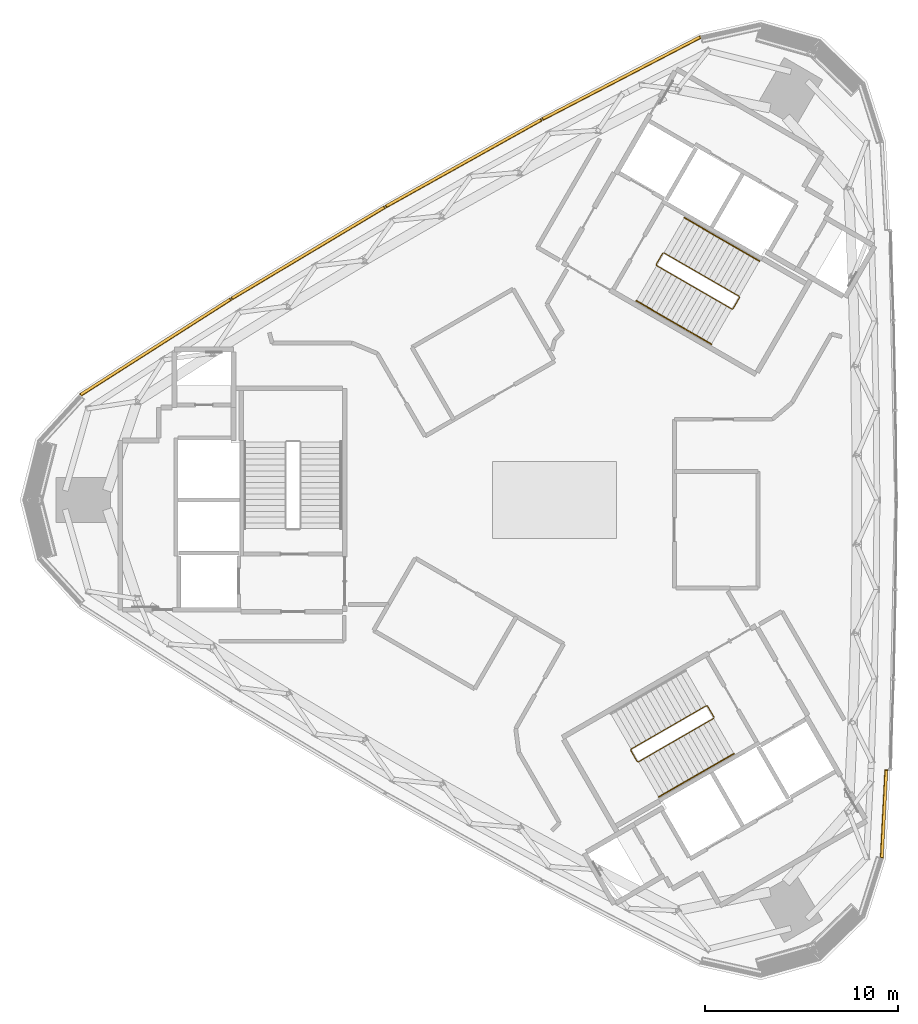
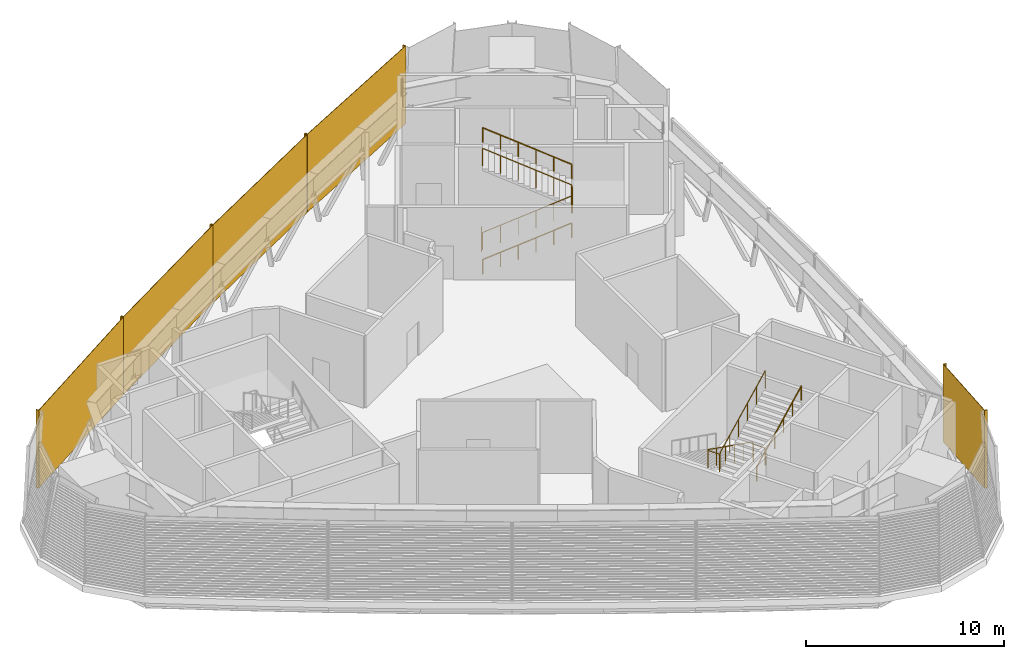
# One storey, part 17 of 18: 5 coverings, 5 railings.
"""IFC4 building model written with IfcOpenShell, lengths in metres."""

import ifcopenshell
import ifcopenshell.guid

model = None  # the IFC model being written
_history = None  # IfcOwnerHistory: only IFC2X3 demands one
_inside = {}  # id of a spatial element -> (the spatial element, [elements in it])
_under = {}  # id of a project, library or spatial element -> (it, [spatial elements below it])
_declared = {}  # id of a project -> (the project, [libraries it declares])
_typed = {}  # id of a type object -> (the type object, [elements of that type])
_made_of = {}  # id of a material, layer set ... -> (it, [elements and type objects made of it])


def new_model(schema):
    """Start an empty IFC model of exactly this schema.

    Asked for "IFC4X3", IfcOpenShell would pick the latest addendum, in which some entities
    have other attributes; the version numbers below select the first issue.
    IFC2X3 requires an IfcOwnerHistory on every rooted entity: one is made here for all.
    """
    global model, _history
    if schema == "IFC4X3":
        model = ifcopenshell.file(schema_version=(4, 3, 0, 0))
    else:
        model = ifcopenshell.file(schema=schema)
    _inside.clear()
    _under.clear()
    _declared.clear()
    _typed.clear()
    _made_of.clear()
    _history = None
    if model.schema == "IFC2X3":
        org = make("IfcOrganization", Name="unknown")
        user = make(
            "IfcPersonAndOrganization",
            ThePerson=make("IfcPerson", FamilyName="unknown"),
            TheOrganization=org,
        )
        app = make(
            "IfcApplication",
            ApplicationDeveloper=org,
            Version="unknown",
            ApplicationFullName="unknown",
            ApplicationIdentifier="unknown",
        )
        _history = make(
            "IfcOwnerHistory",
            OwningUser=user,
            OwningApplication=app,
            ChangeAction="ADDED",
            CreationDate=0,
        )
    return model


def make(cls, **values):
    """One entity of the class cls with the attributes given. An attribute that is None is left unset."""
    return model.create_entity(
        cls, **{name: value for name, value in values.items() if value is not None}
    )


def rooted(cls, **values):
    """An entity with a GlobalId (a new one), such as an element, a storey or a relation."""
    return make(cls, GlobalId=ifcopenshell.guid.new(), OwnerHistory=_history, **values)


def si_unit(unit_type, name, prefix=None):
    """IfcSIUnit, for example si_unit("LENGTHUNIT", "METRE", prefix="MILLI")."""
    return make("IfcSIUnit", UnitType=unit_type, Prefix=prefix, Name=name)


def assignment(units):
    """IfcUnitAssignment: the units of a project."""
    return None if units is None else make("IfcUnitAssignment", Units=units)


def point(xyz):
    """IfcCartesianPoint."""
    return None if xyz is None else make("IfcCartesianPoint", Coordinates=xyz)


def direction(xyz):
    """IfcDirection."""
    return None if xyz is None else make("IfcDirection", DirectionRatios=xyz)


def frame(location, z_axis=None, x_axis=None):
    """IfcAxis2Placement3D, a coordinate frame: its origin and axes. An axis left out is left unset."""
    return make(
        "IfcAxis2Placement3D",
        Location=point(location),
        Axis=direction(z_axis),
        RefDirection=direction(x_axis),
    )


def frame_2d(location, x_axis=None):
    """IfcAxis2Placement2D, a coordinate frame in the plane: its origin and x axis."""
    return make(
        "IfcAxis2Placement2D", Location=point(location), RefDirection=direction(x_axis)
    )


def origin():
    """The frame at (0, 0, 0) with its axes left unset."""
    return frame((0.0, 0.0, 0.0))


def origin_2d():
    """The frame at (0, 0) in the plane with its x axis left unset."""
    return frame_2d((0.0, 0.0))


def place(relative_to, where):
    """IfcLocalPlacement: puts the frame where relative to a parent placement (None: the world)."""
    return make(
        "IfcLocalPlacement", PlacementRelTo=relative_to, RelativePlacement=where
    )


def context(
    kind, dimensions, precision=None, world=None, true_north=None, identifier=None
):
    """IfcGeometricRepresentationContext, for example the 3D "Model" context."""
    return make(
        "IfcGeometricRepresentationContext",
        ContextIdentifier=identifier,
        ContextType=kind,
        CoordinateSpaceDimension=dimensions,
        Precision=precision,
        WorldCoordinateSystem=world,
        TrueNorth=true_north,
    )


def subcontext(parent, identifier, kind, view, scale=None):
    """IfcGeometricRepresentationSubContext, for example "Body" below "Model"."""
    return make(
        "IfcGeometricRepresentationSubContext",
        ContextIdentifier=identifier,
        ContextType=kind,
        ParentContext=parent,
        TargetScale=scale,
        TargetView=view,
    )


def project(units=None, contexts=None):
    """IfcProject with its units and contexts."""
    return rooted(
        "IfcProject",
        Name="project",
        RepresentationContexts=contexts,
        UnitsInContext=assignment(units),
    )


def spatial(cls, under=None, at=None, **own):
    """A site, building, storey or space (cls), placed at a placement, below another one or the project."""
    s = rooted(cls, ObjectPlacement=at, **own)
    if under is not None:
        _under.setdefault(under.id(), (under, []))[1].append(s)
    return s


def profile(cls, at=None, kind="AREA", **sizes):
    """A parametric profile (cls). Its sizes go by their IFC names, for example OverallWidth=200.0."""
    return make(cls, ProfileType=kind, Position=at, **sizes)


def rectangle(**sizes):
    """IfcRectangleProfileDef."""
    return profile("IfcRectangleProfileDef", **sizes)


def circle(**sizes):
    """IfcCircleProfileDef."""
    return profile("IfcCircleProfileDef", **sizes)


def extrude(swept, where, along, depth):
    """IfcExtrudedAreaSolid: the profile swept, set in the frame where, extruded along a direction by depth."""
    return make(
        "IfcExtrudedAreaSolid",
        SweptArea=swept,
        Position=where,
        ExtrudedDirection=direction(along),
        Depth=depth,
    )


def shape(context_of_items, identifier, shape_type, items):
    """IfcShapeRepresentation: the items that make up one representation, for example the "Body"."""
    return make(
        "IfcShapeRepresentation",
        ContextOfItems=context_of_items,
        RepresentationIdentifier=identifier,
        RepresentationType=shape_type,
        Items=items,
    )


def source(mapping_origin, context_of_items, identifier, shape_type, items):
    """IfcRepresentationMap: a shape defined once, which mapped items show again and again."""
    return make(
        "IfcRepresentationMap",
        MappingOrigin=mapping_origin,
        MappedRepresentation=shape(context_of_items, identifier, shape_type, items),
    )


def transform(
    local_origin,
    x_axis=None,
    y_axis=None,
    z_axis=None,
    scale=None,
    scale2=None,
    scale3=None,
    uniform=True,
):
    """IfcCartesianTransformationOperator3D, or its non-uniform kind. x_axis, y_axis, z_axis: its Axis1, 2, 3."""
    if uniform:
        return make(
            "IfcCartesianTransformationOperator3D",
            Axis1=direction(x_axis),
            Axis2=direction(y_axis),
            LocalOrigin=point(local_origin),
            Scale=scale,
            Axis3=direction(z_axis),
        )
    return make(
        "IfcCartesianTransformationOperator3DnonUniform",
        Axis1=direction(x_axis),
        Axis2=direction(y_axis),
        LocalOrigin=point(local_origin),
        Scale=scale,
        Axis3=direction(z_axis),
        Scale2=scale2,
        Scale3=scale3,
    )


def mapped(mapping_source, mapping_target):
    """IfcMappedItem: shows the shape of a source again, moved by a transform."""
    return make(
        "IfcMappedItem", MappingSource=mapping_source, MappingTarget=mapping_target
    )


def material(Name=None, Category=None):
    """IfcMaterial."""
    return make("IfcMaterial", Name=Name, Category=Category)


def made_of(thing, what):
    """Note that an element or type object is made of a material, layer set ...; save() writes the relation."""
    if what is not None:
        _made_of.setdefault(what.id(), (what, []))[1].append(thing)
    return thing


def type_object(cls, material=None, **own):
    """A type object (cls), such as IfcWallType, which elements share."""
    return made_of(rooted(cls, **own), material)


def element(
    cls,
    number,
    at=None,
    inside=None,
    cuts=None,
    type_object=None,
    material=None,
    context=None,
    identifier="Body",
    shape_type=None,
    held_by="IfcProductDefinitionShape",
    body=None,
    shapes=None,
    **own,
):
    """One element of the class cls, such as IfcWall. Its Tag is "e" and its number.

    at: its placement. inside: the storey or other place that contains it. cuts: it is an
    opening in that element (IfcRelVoidsElement). A single representation is given by context,
    identifier, shape_type and body (its items); several are given by shapes. held_by: the class
    of the entity that holds the representations. save() writes the other relations.
    """
    e = rooted(cls, Tag="e%d" % number, ObjectPlacement=at, **own)
    if body is not None:
        shapes = [shape(context, identifier, shape_type, body)]
    if shapes is not None:
        e.Representation = make(held_by, Representations=shapes)
    if inside is not None:
        _inside.setdefault(inside.id(), (inside, []))[1].append(e)
    if cuts is not None:
        rooted(
            "IfcRelVoidsElement", RelatingBuildingElement=cuts, RelatedOpeningElement=e
        )
    if type_object is not None:
        _typed.setdefault(type_object.id(), (type_object, []))[1].append(e)
    return made_of(e, material)


def aggregate(whole, parts):
    """IfcRelAggregates: a whole, such as a stair, and the parts it consists of."""
    return rooted("IfcRelAggregates", RelatingObject=whole, RelatedObjects=parts)


def save(model, path):
    """Write the relations noted so far, then the file.

    IfcRelAggregates (storeys below a building ...), IfcRelContainedInSpatialStructure (elements
    in a storey), IfcRelDefinesByType, IfcRelAssociatesMaterial and IfcRelDeclares: one each for
    every whole, place, type object, material and project.
    """
    for whole, parts in _under.values():
        aggregate(whole, parts)
    for where, things in _inside.values():
        rooted(
            "IfcRelContainedInSpatialStructure",
            RelatedElements=things,
            RelatingStructure=where,
        )
    for kind, things in _typed.values():
        rooted("IfcRelDefinesByType", RelatedObjects=things, RelatingType=kind)
    for what, things in _made_of.values():
        rooted("IfcRelAssociatesMaterial", RelatedObjects=things, RelatingMaterial=what)
    for by, libraries in _declared.values():
        rooted("IfcRelDeclares", RelatingContext=by, RelatedDefinitions=libraries)
    model.write(path)


model = new_model("IFC4")

# Units and contexts
model_context = context("Model", 3, precision=1e-05, world=origin(), true_north=direction((0.0, 1.0)))
body_context = subcontext(model_context, "Body", "Model", "MODEL_VIEW")
ifc_project = project(units=[si_unit("LENGTHUNIT", "METRE"), si_unit("AREAUNIT", "SQUARE_METRE"), si_unit("VOLUMEUNIT", "CUBIC_METRE"), si_unit("PLANEANGLEUNIT", "RADIAN"), si_unit("MASSUNIT", "GRAM", prefix="KILO")], contexts=[model_context])

# Site, building, storey
site_placement = place(None, origin())
site = spatial("IfcSite", under=ifc_project, at=site_placement, CompositionType="ELEMENT")
building_placement = place(site_placement, origin())
building = spatial("IfcBuilding", under=site, at=building_placement, Name="Tamra Quay Hotel Tower", CompositionType="ELEMENT")
storey_placement = place(building_placement, frame((0.0, 0.0, 257.39990234375)))
storey = spatial("IfcBuildingStorey", under=building, at=storey_placement, Name="L65", CompositionType="ELEMENT", Elevation=257.39990234375)

# Railings
ifc_material_1 = material(Name="Stair guard 1100")
railing_type_1 = type_object("IfcRailingType", Name="Stair guard 1100", PredefinedType="GUARDRAIL", material=ifc_material_1)
railing_1_placement = place(storey_placement, frame((5.595458984375, 12.751953125, 0.0)))
element("IfcRailing", 1, at=railing_1_placement, inside=storey, type_object=railing_type_1, Name="GR", PredefinedType="GUARDRAIL", context=body_context, shape_type="SweptSolid", body=[
    extrude(circle(Radius=0.02392578125, at=origin_2d()), frame((0.0, 0.0, 1.076171875), z_axis=(-0.499765215335, -0.866160914346, 0.0), x_axis=(0.866160914346, -0.499765215335, 0.0)), (0.0, 0.0, 1.0), 0.658935546875),
    extrude(circle(Radius=0.02392578125, at=origin_2d()), frame((-0.329345703125, -0.57080078125, 1.076171875), z_axis=(0.110378772244, -0.410609032747, 0.905105932399), x_axis=(0.965715946433, 0.259601060869, 0.0)), (0.0, 0.0, 1.0), 0.165771484375),
    extrude(circle(Radius=0.02392578125, at=origin_2d()), frame((-0.31103515625, -0.638916015625, 1.22607421875), z_axis=(0.774058831731, -0.446948546627, 0.448408208764), x_axis=(0.500038154266, 0.866003374288, 0.0)), (0.0, 0.0, 1.0), 5.017822265625),
    extrude(circle(Radius=0.02392578125, at=origin_2d()), frame((3.572998046875, -2.881591796875, 3.47607421875), z_axis=(0.965948051503, 0.258736085224, 0.0), x_axis=(-0.258736085224, 0.965948051503, 0.0)), (0.0, 0.0, 1.0), 0.07080078125),
    extrude(circle(Radius=0.02392578125, at=origin_2d()), frame((3.641357421875, -2.86328125, 3.47607421875), z_axis=(0.499765215335, 0.866160914346, 0.0), x_axis=(-0.866160914346, 0.499765215335, 0.0)), (0.0, 0.0, 1.0), 0.658935546875),
    extrude(circle(Radius=0.02392578125, at=origin_2d()), frame((3.970703125, -2.29248046875, 3.47607421875), z_axis=(-0.110458949641, 0.41238007866, 0.904290601062), x_axis=(-0.965948051503, -0.258736085224, 0.0)), (0.0, 0.0, 1.0), 0.165771484375),
    extrude(circle(Radius=0.02392578125, at=origin_2d()), frame((3.952392578125, -2.22412109375, 3.6259765625), z_axis=(-0.774075664405, 0.446909609502, 0.448417959844), x_axis=(-0.499997328569, -0.86602694613, 0.0)), (0.0, 0.0, 1.0), 5.017578125),
    extrude(circle(Radius=0.02099609375, at=origin_2d()), origin(), (0.0, 0.0, 1.0), 1.052001953125),
    extrude(circle(Radius=0.02099609375, at=origin_2d()), frame((-0.329345703125, -0.57080078125, 0.0)), (0.0, 0.0, 1.0), 1.052001953125),
    extrude(circle(Radius=0.02099609375, at=origin_2d()), frame((-0.31103515625, -0.638916015625, 0.150146484375)), (0.0, 0.0, 1.0), 1.052001953125),
    extrude(circle(Radius=0.02099609375, at=origin_2d()), frame((0.4658203125, -1.08740234375, 0.60009765625)), (0.0, 0.0, 1.0), 1.052001953125),
    extrude(circle(Radius=0.02099609375, at=origin_2d()), frame((1.24267578125, -1.535888671875, 1.050048828125)), (0.0, 0.0, 1.0), 1.052001953125),
    extrude(circle(Radius=0.02099609375, at=origin_2d()), frame((2.019287109375, -1.984619140625, 1.500244140625)), (0.0, 0.0, 1.0), 1.052001953125),
    extrude(circle(Radius=0.02099609375, at=origin_2d()), frame((2.796142578125, -2.43310546875, 1.9501953125)), (0.0, 0.0, 1.0), 1.052001953125),
    extrude(circle(Radius=0.02099609375, at=origin_2d()), frame((3.572998046875, -2.881591796875, 2.400146484375)), (0.0, 0.0, 1.0), 1.052001953125),
    extrude(circle(Radius=0.02099609375, at=origin_2d()), frame((3.641357421875, -2.86328125, 2.400146484375)), (0.0, 0.0, 1.0), 1.052001953125),
    extrude(circle(Radius=0.02099609375, at=origin_2d()), frame((3.970703125, -2.29248046875, 2.400146484375)), (0.0, 0.0, 1.0), 1.052001953125),
    extrude(circle(Radius=0.02099609375, at=origin_2d()), frame((3.952392578125, -2.22412109375, 2.550048828125)), (0.0, 0.0, 1.0), 1.052001953125),
    extrude(circle(Radius=0.02099609375, at=origin_2d()), frame((3.175537109375, -1.775634765625, 3.0)), (0.0, 0.0, 1.0), 1.052001953125),
    extrude(circle(Radius=0.02099609375, at=origin_2d()), frame((2.398681640625, -1.3271484375, 3.449951171875)), (0.0, 0.0, 1.0), 1.052001953125),
    extrude(circle(Radius=0.02099609375, at=origin_2d()), frame((1.6220703125, -0.878662109375, 3.900146484375)), (0.0, 0.0, 1.0), 1.052001953125),
    extrude(circle(Radius=0.02099609375, at=origin_2d()), frame((0.84521484375, -0.43017578125, 4.35009765625)), (0.0, 0.0, 1.0), 1.052001953125),
    extrude(circle(Radius=0.02099609375, at=origin_2d()), frame((0.068359375, 0.018310546875, 4.800048828125)), (0.0, 0.0, 1.0), 1.052001953125),
])
railing_2_placement = place(storey_placement, frame((8.245849609375, -11.221923828125, 0.0)))
element("IfcRailing", 2, at=railing_2_placement, inside=storey, type_object=railing_type_1, Name="GR", PredefinedType="GUARDRAIL", context=body_context, shape_type="SweptSolid", body=[
    extrude(circle(Radius=0.02392578125, at=origin_2d()), frame((0.0, 0.0, 1.076171875), z_axis=(-0.500043078269, 0.866000531106, 0.0), x_axis=(-0.866000531106, -0.500043078269, 0.0)), (0.0, 0.0, 1.0), 0.6591796875),
    extrude(circle(Radius=0.02392578125, at=origin_2d()), frame((-0.32958984375, 0.57080078125, 1.076171875), z_axis=(-0.411831509231, 0.110312011401, 0.90455849349), x_axis=(-0.258736085224, -0.965948051503, 0.0)), (0.0, 0.0, 1.0), 0.166015625),
    extrude(circle(Radius=0.02392578125, at=origin_2d()), frame((-0.39794921875, 0.589111328125, 1.22607421875), z_axis=(-0.774075664405, -0.446909609502, 0.448417959844), x_axis=(0.499997328569, -0.86602694613, 0.0)), (0.0, 0.0, 1.0), 5.017578125),
    extrude(circle(Radius=0.02392578125, at=origin_2d()), frame((-4.281982421875, -1.6533203125, 3.47607421875), z_axis=(-0.258736085224, -0.965948051503, 0.0), x_axis=(0.965948051503, -0.258736085224, 0.0)), (0.0, 0.0, 1.0), 0.07080078125),
    extrude(circle(Radius=0.02392578125, at=origin_2d()), frame((-4.30029296875, -1.7216796875, 3.47607421875), z_axis=(0.499765215335, -0.866160914346, 0.0), x_axis=(0.866160914346, 0.499765215335, 0.0)), (0.0, 0.0, 1.0), 0.658935546875),
    extrude(circle(Radius=0.02392578125, at=origin_2d()), frame((-3.970947265625, -2.29248046875, 3.47607421875), z_axis=(0.41238007866, -0.110458949641, 0.904290601062), x_axis=(0.258736085224, 0.965948051503, 0.0)), (0.0, 0.0, 1.0), 0.165771484375),
    extrude(circle(Radius=0.02392578125, at=origin_2d()), frame((-3.902587890625, -2.310791015625, 3.6259765625), z_axis=(0.774078333318, 0.446931714007, 0.448391321173), x_axis=(-0.500014583029, 0.866016984105, 0.0)), (0.0, 0.0, 1.0), 5.017822265625),
    extrude(circle(Radius=0.02099609375, at=origin_2d()), origin(), (0.0, 0.0, 1.0), 1.052001953125),
    extrude(circle(Radius=0.02099609375, at=origin_2d()), frame((-0.32958984375, 0.57080078125, 0.0)), (0.0, 0.0, 1.0), 1.052001953125),
    extrude(circle(Radius=0.02099609375, at=origin_2d()), frame((-0.39794921875, 0.589111328125, 0.150146484375)), (0.0, 0.0, 1.0), 1.052001953125),
    extrude(circle(Radius=0.02099609375, at=origin_2d()), frame((-1.1748046875, 0.140625, 0.60009765625)), (0.0, 0.0, 1.0), 1.052001953125),
    extrude(circle(Radius=0.02099609375, at=origin_2d()), frame((-1.95166015625, -0.307861328125, 1.050048828125)), (0.0, 0.0, 1.0), 1.052001953125),
    extrude(circle(Radius=0.02099609375, at=origin_2d()), frame((-2.728271484375, -0.75634765625, 1.500244140625)), (0.0, 0.0, 1.0), 1.052001953125),
    extrude(circle(Radius=0.02099609375, at=origin_2d()), frame((-3.505126953125, -1.204833984375, 1.9501953125)), (0.0, 0.0, 1.0), 1.052001953125),
    extrude(circle(Radius=0.02099609375, at=origin_2d()), frame((-4.281982421875, -1.6533203125, 2.400146484375)), (0.0, 0.0, 1.0), 1.052001953125),
    extrude(circle(Radius=0.02099609375, at=origin_2d()), frame((-4.30029296875, -1.7216796875, 2.400146484375)), (0.0, 0.0, 1.0), 1.052001953125),
    extrude(circle(Radius=0.02099609375, at=origin_2d()), frame((-3.970947265625, -2.29248046875, 2.400146484375)), (0.0, 0.0, 1.0), 1.052001953125),
    extrude(circle(Radius=0.02099609375, at=origin_2d()), frame((-3.902587890625, -2.310791015625, 2.550048828125)), (0.0, 0.0, 1.0), 1.052001953125),
    extrude(circle(Radius=0.02099609375, at=origin_2d()), frame((-3.125732421875, -1.8623046875, 3.0)), (0.0, 0.0, 1.0), 1.052001953125),
    extrude(circle(Radius=0.02099609375, at=origin_2d()), frame((-2.348876953125, -1.413818359375, 3.449951171875)), (0.0, 0.0, 1.0), 1.052001953125),
    extrude(circle(Radius=0.02099609375, at=origin_2d()), frame((-1.572021484375, -0.965087890625, 3.900146484375)), (0.0, 0.0, 1.0), 1.052001953125),
    extrude(circle(Radius=0.02099609375, at=origin_2d()), frame((-0.795166015625, -0.5166015625, 4.35009765625)), (0.0, 0.0, 1.0), 1.052001953125),
    extrude(circle(Radius=0.02099609375, at=origin_2d()), frame((-0.018310546875, -0.068115234375, 4.800048828125)), (0.0, 0.0, 1.0), 1.052001953125),
])
ifc_material_2 = material(Name="Stair handrail 900")
railing_type_2 = type_object("IfcRailingType", Name="Stair handrail 900", PredefinedType="HANDRAIL", material=ifc_material_2)
railing_3_placement = place(storey_placement, frame((4.234375, 10.294189453125, 0.150146484375)))
element("IfcRailing", 3, at=railing_3_placement, inside=storey, type_object=railing_type_2, Name="HR", PredefinedType="HANDRAIL", context=body_context, shape_type="SweptSolid", body=[
    extrude(circle(Radius=0.02392578125, at=origin_2d()), frame((0.0, 0.0, 0.8759765625), z_axis=(0.774075664405, -0.446909609502, 0.448417959844), x_axis=(0.499997328569, 0.86602694613, 0.0)), (0.0, 0.0, 1.0), 5.017578125),
    extrude(circle(Radius=0.02099609375, at=origin_2d()), origin(), (0.0, 0.0, 1.0), 0.851806640625),
    extrude(circle(Radius=0.02099609375, at=origin_2d()), frame((0.77685546875, -0.448486328125, 0.449951171875)), (0.0, 0.0, 1.0), 0.851806640625),
    extrude(circle(Radius=0.02099609375, at=origin_2d()), frame((1.5537109375, -0.89697265625, 0.89990234375)), (0.0, 0.0, 1.0), 0.851806640625),
    extrude(circle(Radius=0.02099609375, at=origin_2d()), frame((2.330322265625, -1.345458984375, 1.35009765625)), (0.0, 0.0, 1.0), 0.851806640625),
    extrude(circle(Radius=0.02099609375, at=origin_2d()), frame((3.107177734375, -1.7939453125, 1.800048828125)), (0.0, 0.0, 1.0), 0.851806640625),
    extrude(circle(Radius=0.02099609375, at=origin_2d()), frame((3.884033203125, -2.242431640625, 2.25)), (0.0, 0.0, 1.0), 0.851806640625),
])
railing_4_placement = place(storey_placement, frame((10.597900390625, 12.346435546875, 2.550048828125)))
element("IfcRailing", 4, at=railing_4_placement, inside=storey, type_object=railing_type_2, Name="HR", PredefinedType="HANDRAIL", context=body_context, shape_type="SweptSolid", body=[
    extrude(circle(Radius=0.02392578125, at=origin_2d()), frame((0.0, 0.0, 0.8759765625), z_axis=(-0.774075664405, 0.446909609502, 0.448417959844), x_axis=(-0.499997328569, -0.86602694613, 0.0)), (0.0, 0.0, 1.0), 5.017578125),
    extrude(circle(Radius=0.02099609375, at=origin_2d()), origin(), (0.0, 0.0, 1.0), 0.851806640625),
    extrude(circle(Radius=0.02099609375, at=origin_2d()), frame((-0.77685546875, 0.448486328125, 0.449951171875)), (0.0, 0.0, 1.0), 0.851806640625),
    extrude(circle(Radius=0.02099609375, at=origin_2d()), frame((-1.5537109375, 0.89697265625, 0.89990234375)), (0.0, 0.0, 1.0), 0.851806640625),
    extrude(circle(Radius=0.02099609375, at=origin_2d()), frame((-2.330322265625, 1.345458984375, 1.35009765625)), (0.0, 0.0, 1.0), 0.851806640625),
    extrude(circle(Radius=0.02099609375, at=origin_2d()), frame((-3.107177734375, 1.7939453125, 1.800048828125)), (0.0, 0.0, 1.0), 0.851806640625),
    extrude(circle(Radius=0.02099609375, at=origin_2d()), frame((-3.884033203125, 2.242431640625, 2.25)), (0.0, 0.0, 1.0), 0.851806640625),
])
railing_5_placement = place(storey_placement, frame((5.393310546875, -15.351318359375, 2.550048828125)))
element("IfcRailing", 5, at=railing_5_placement, inside=storey, type_object=railing_type_2, Name="HR", PredefinedType="HANDRAIL", context=body_context, shape_type="SweptSolid", body=[
    extrude(circle(Radius=0.02392578125, at=origin_2d()), frame((0.0, 0.0, 0.8759765625), z_axis=(0.774075664405, 0.446909609502, 0.448417959844), x_axis=(-0.499997328569, 0.86602694613, 0.0)), (0.0, 0.0, 1.0), 5.017578125),
    extrude(circle(Radius=0.02099609375, at=origin_2d()), origin(), (0.0, 0.0, 1.0), 0.851806640625),
    extrude(circle(Radius=0.02099609375, at=origin_2d()), frame((0.77685546875, 0.448486328125, 0.449951171875)), (0.0, 0.0, 1.0), 0.851806640625),
    extrude(circle(Radius=0.02099609375, at=origin_2d()), frame((1.5537109375, 0.89697265625, 0.89990234375)), (0.0, 0.0, 1.0), 0.851806640625),
    extrude(circle(Radius=0.02099609375, at=origin_2d()), frame((2.330322265625, 1.345458984375, 1.35009765625)), (0.0, 0.0, 1.0), 0.851806640625),
    extrude(circle(Radius=0.02099609375, at=origin_2d()), frame((3.107177734375, 1.7939453125, 1.800048828125)), (0.0, 0.0, 1.0), 0.851806640625),
    extrude(circle(Radius=0.02099609375, at=origin_2d()), frame((3.884033203125, 2.242431640625, 2.25)), (0.0, 0.0, 1.0), 0.851806640625),
])

# Coverings
ifc_material_3 = material(Name="Terracotta louvre panel", Category="masonry")
covering_type = type_object("IfcCoveringType", Name="PLANT LOUVRE H4800", PredefinedType="USERDEFINED", material=ifc_material_3)
shared_shape_1 = source(origin(), body_context, "Body", "SweptSolid", [
    extrude(rectangle(XDim=4.60009765625, YDim=0.030029296875, at=frame_2d((2.300048828125, 0.01513671875))), frame((-2.300048828125, -0.030029296875, 0.0)), (0.0, 0.0, 1.0), 4.800048828125),
    extrude(rectangle(XDim=0.050048828125, YDim=0.139892578125, at=frame_2d((0.02490234375, 0.06982421875))), frame((-2.300048828125, -0.169921875, 0.0)), (0.0, 0.0, 1.0), 4.800048828125),
    extrude(rectangle(XDim=0.050048828125, YDim=0.139892578125, at=frame_2d((0.02490234375, 0.06982421875))), frame((2.25, -0.169921875, 0.0)), (0.0, 0.0, 1.0), 4.800048828125),
    extrude(rectangle(XDim=4.5, YDim=0.139892578125, at=frame_2d((2.25, 0.06982421875))), frame((-2.25, -0.169921875, 0.050048828125)), (0.0, 0.0, 1.0), 0.034912109375),
    extrude(rectangle(XDim=4.5, YDim=0.139892578125, at=frame_2d((2.25, 0.06982421875))), frame((-2.25, -0.169921875, 0.2099609375)), (0.0, 0.0, 1.0), 0.034912109375),
    extrude(rectangle(XDim=4.5, YDim=0.139892578125, at=frame_2d((2.25, 0.06982421875))), frame((-2.25, -0.169921875, 0.3701171875)), (0.0, 0.0, 1.0), 0.034912109375),
    extrude(rectangle(XDim=4.5, YDim=0.139892578125, at=frame_2d((2.25, 0.06982421875))), frame((-2.25, -0.169921875, 0.530029296875)), (0.0, 0.0, 1.0), 0.034912109375),
    extrude(rectangle(XDim=4.5, YDim=0.139892578125, at=frame_2d((2.25, 0.06982421875))), frame((-2.25, -0.169921875, 0.68994140625)), (0.0, 0.0, 1.0), 0.034912109375),
    extrude(rectangle(XDim=4.5, YDim=0.139892578125, at=frame_2d((2.25, 0.06982421875))), frame((-2.25, -0.169921875, 0.85009765625)), (0.0, 0.0, 1.0), 0.034912109375),
    extrude(rectangle(XDim=4.5, YDim=0.139892578125, at=frame_2d((2.25, 0.06982421875))), frame((-2.25, -0.169921875, 1.010009765625)), (0.0, 0.0, 1.0), 0.034912109375),
    extrude(rectangle(XDim=4.5, YDim=0.139892578125, at=frame_2d((2.25, 0.06982421875))), frame((-2.25, -0.169921875, 1.169921875)), (0.0, 0.0, 1.0), 0.034912109375),
    extrude(rectangle(XDim=4.5, YDim=0.139892578125, at=frame_2d((2.25, 0.06982421875))), frame((-2.25, -0.169921875, 1.330078125)), (0.0, 0.0, 1.0), 0.034912109375),
    extrude(rectangle(XDim=4.5, YDim=0.139892578125, at=frame_2d((2.25, 0.06982421875))), frame((-2.25, -0.169921875, 1.489990234375)), (0.0, 0.0, 1.0), 0.034912109375),
    extrude(rectangle(XDim=4.5, YDim=0.139892578125, at=frame_2d((2.25, 0.06982421875))), frame((-2.25, -0.169921875, 1.64990234375)), (0.0, 0.0, 1.0), 0.034912109375),
    extrude(rectangle(XDim=4.5, YDim=0.139892578125, at=frame_2d((2.25, 0.06982421875))), frame((-2.25, -0.169921875, 1.81005859375)), (0.0, 0.0, 1.0), 0.034912109375),
    extrude(rectangle(XDim=4.5, YDim=0.139892578125, at=frame_2d((2.25, 0.06982421875))), frame((-2.25, -0.169921875, 1.969970703125)), (0.0, 0.0, 1.0), 0.034912109375),
    extrude(rectangle(XDim=4.5, YDim=0.139892578125, at=frame_2d((2.25, 0.06982421875))), frame((-2.25, -0.169921875, 2.1298828125)), (0.0, 0.0, 1.0), 0.034912109375),
    extrude(rectangle(XDim=4.5, YDim=0.139892578125, at=frame_2d((2.25, 0.06982421875))), frame((-2.25, -0.169921875, 2.2900390625)), (0.0, 0.0, 1.0), 0.034912109375),
    extrude(rectangle(XDim=4.5, YDim=0.139892578125, at=frame_2d((2.25, 0.06982421875))), frame((-2.25, -0.169921875, 2.449951171875)), (0.0, 0.0, 1.0), 0.034912109375),
    extrude(rectangle(XDim=4.5, YDim=0.139892578125, at=frame_2d((2.25, 0.06982421875))), frame((-2.25, -0.169921875, 2.610107421875)), (0.0, 0.0, 1.0), 0.034912109375),
    extrude(rectangle(XDim=4.5, YDim=0.139892578125, at=frame_2d((2.25, 0.06982421875))), frame((-2.25, -0.169921875, 2.77001953125)), (0.0, 0.0, 1.0), 0.034912109375),
    extrude(rectangle(XDim=4.5, YDim=0.139892578125, at=frame_2d((2.25, 0.06982421875))), frame((-2.25, -0.169921875, 2.929931640625)), (0.0, 0.0, 1.0), 0.034912109375),
    extrude(rectangle(XDim=4.5, YDim=0.139892578125, at=frame_2d((2.25, 0.06982421875))), frame((-2.25, -0.169921875, 3.090087890625)), (0.0, 0.0, 1.0), 0.034912109375),
    extrude(rectangle(XDim=4.5, YDim=0.139892578125, at=frame_2d((2.25, 0.06982421875))), frame((-2.25, -0.169921875, 3.25)), (0.0, 0.0, 1.0), 0.034912109375),
    extrude(rectangle(XDim=4.5, YDim=0.139892578125, at=frame_2d((2.25, 0.06982421875))), frame((-2.25, -0.169921875, 3.409912109375)), (0.0, 0.0, 1.0), 0.034912109375),
    extrude(rectangle(XDim=4.5, YDim=0.139892578125, at=frame_2d((2.25, 0.06982421875))), frame((-2.25, -0.169921875, 3.570068359375)), (0.0, 0.0, 1.0), 0.034912109375),
    extrude(rectangle(XDim=4.5, YDim=0.139892578125, at=frame_2d((2.25, 0.06982421875))), frame((-2.25, -0.169921875, 3.72998046875)), (0.0, 0.0, 1.0), 0.034912109375),
    extrude(rectangle(XDim=4.5, YDim=0.139892578125, at=frame_2d((2.25, 0.06982421875))), frame((-2.25, -0.169921875, 3.889892578125)), (0.0, 0.0, 1.0), 0.034912109375),
    extrude(rectangle(XDim=4.5, YDim=0.139892578125, at=frame_2d((2.25, 0.06982421875))), frame((-2.25, -0.169921875, 4.050048828125)), (0.0, 0.0, 1.0), 0.034912109375),
    extrude(rectangle(XDim=4.5, YDim=0.139892578125, at=frame_2d((2.25, 0.06982421875))), frame((-2.25, -0.169921875, 4.2099609375)), (0.0, 0.0, 1.0), 0.034912109375),
    extrude(rectangle(XDim=4.5, YDim=0.139892578125, at=frame_2d((2.25, 0.06982421875))), frame((-2.25, -0.169921875, 4.3701171875)), (0.0, 0.0, 1.0), 0.034912109375),
    extrude(rectangle(XDim=4.5, YDim=0.139892578125, at=frame_2d((2.25, 0.06982421875))), frame((-2.25, -0.169921875, 4.530029296875)), (0.0, 0.0, 1.0), 0.034912109375),
])
covering_placement = place(storey_placement, frame((16.944580078125, -16.217041015625, 0.0), z_axis=(0.0, 0.0, 1.0), x_axis=(0.051403750609, 0.998677953308, 0.0)))
element("IfcCovering", 6, at=covering_placement, inside=storey, type_object=covering_type, Name="Plant louvre L65.E.f00s", ObjectType="LOUVER", PredefinedType="USERDEFINED", context=body_context, shape_type="MappedRepresentation", body=[
    mapped(shared_shape_1, transform((0.0, 0.0, 0.0), scale=1.0)),
])
shared_shape_2 = source(origin(), body_context, "Body", "SweptSolid", [
    extrude(rectangle(XDim=9.239990234375, YDim=0.030029296875, at=frame_2d((4.6201171875, 0.01513671875))), frame((-4.6201171875, -0.030029296875, 0.0)), (0.0, 0.0, 1.0), 4.800048828125),
    extrude(rectangle(XDim=0.050048828125, YDim=0.139892578125, at=frame_2d((0.02490234375, 0.06982421875))), frame((-4.6201171875, -0.169921875, 0.0)), (0.0, 0.0, 1.0), 4.800048828125),
    extrude(rectangle(XDim=0.050048828125, YDim=0.139892578125, at=frame_2d((0.02490234375, 0.06982421875))), frame((4.570068359375, -0.169921875, 0.0)), (0.0, 0.0, 1.0), 4.800048828125),
    extrude(rectangle(XDim=9.139892578125, YDim=0.139892578125, at=frame_2d((4.56982421875, 0.06982421875))), frame((-4.570068359375, -0.169921875, 0.050048828125)), (0.0, 0.0, 1.0), 0.034912109375),
    extrude(rectangle(XDim=9.139892578125, YDim=0.139892578125, at=frame_2d((4.56982421875, 0.06982421875))), frame((-4.570068359375, -0.169921875, 0.2099609375)), (0.0, 0.0, 1.0), 0.034912109375),
    extrude(rectangle(XDim=9.139892578125, YDim=0.139892578125, at=frame_2d((4.56982421875, 0.06982421875))), frame((-4.570068359375, -0.169921875, 0.3701171875)), (0.0, 0.0, 1.0), 0.034912109375),
    extrude(rectangle(XDim=9.139892578125, YDim=0.139892578125, at=frame_2d((4.56982421875, 0.06982421875))), frame((-4.570068359375, -0.169921875, 0.530029296875)), (0.0, 0.0, 1.0), 0.034912109375),
    extrude(rectangle(XDim=9.139892578125, YDim=0.139892578125, at=frame_2d((4.56982421875, 0.06982421875))), frame((-4.570068359375, -0.169921875, 0.68994140625)), (0.0, 0.0, 1.0), 0.034912109375),
    extrude(rectangle(XDim=9.139892578125, YDim=0.139892578125, at=frame_2d((4.56982421875, 0.06982421875))), frame((-4.570068359375, -0.169921875, 0.85009765625)), (0.0, 0.0, 1.0), 0.034912109375),
    extrude(rectangle(XDim=9.139892578125, YDim=0.139892578125, at=frame_2d((4.56982421875, 0.06982421875))), frame((-4.570068359375, -0.169921875, 1.010009765625)), (0.0, 0.0, 1.0), 0.034912109375),
    extrude(rectangle(XDim=9.139892578125, YDim=0.139892578125, at=frame_2d((4.56982421875, 0.06982421875))), frame((-4.570068359375, -0.169921875, 1.169921875)), (0.0, 0.0, 1.0), 0.034912109375),
    extrude(rectangle(XDim=9.139892578125, YDim=0.139892578125, at=frame_2d((4.56982421875, 0.06982421875))), frame((-4.570068359375, -0.169921875, 1.330078125)), (0.0, 0.0, 1.0), 0.034912109375),
    extrude(rectangle(XDim=9.139892578125, YDim=0.139892578125, at=frame_2d((4.56982421875, 0.06982421875))), frame((-4.570068359375, -0.169921875, 1.489990234375)), (0.0, 0.0, 1.0), 0.034912109375),
    extrude(rectangle(XDim=9.139892578125, YDim=0.139892578125, at=frame_2d((4.56982421875, 0.06982421875))), frame((-4.570068359375, -0.169921875, 1.64990234375)), (0.0, 0.0, 1.0), 0.034912109375),
    extrude(rectangle(XDim=9.139892578125, YDim=0.139892578125, at=frame_2d((4.56982421875, 0.06982421875))), frame((-4.570068359375, -0.169921875, 1.81005859375)), (0.0, 0.0, 1.0), 0.034912109375),
    extrude(rectangle(XDim=9.139892578125, YDim=0.139892578125, at=frame_2d((4.56982421875, 0.06982421875))), frame((-4.570068359375, -0.169921875, 1.969970703125)), (0.0, 0.0, 1.0), 0.034912109375),
    extrude(rectangle(XDim=9.139892578125, YDim=0.139892578125, at=frame_2d((4.56982421875, 0.06982421875))), frame((-4.570068359375, -0.169921875, 2.1298828125)), (0.0, 0.0, 1.0), 0.034912109375),
    extrude(rectangle(XDim=9.139892578125, YDim=0.139892578125, at=frame_2d((4.56982421875, 0.06982421875))), frame((-4.570068359375, -0.169921875, 2.2900390625)), (0.0, 0.0, 1.0), 0.034912109375),
    extrude(rectangle(XDim=9.139892578125, YDim=0.139892578125, at=frame_2d((4.56982421875, 0.06982421875))), frame((-4.570068359375, -0.169921875, 2.449951171875)), (0.0, 0.0, 1.0), 0.034912109375),
    extrude(rectangle(XDim=9.139892578125, YDim=0.139892578125, at=frame_2d((4.56982421875, 0.06982421875))), frame((-4.570068359375, -0.169921875, 2.610107421875)), (0.0, 0.0, 1.0), 0.034912109375),
    extrude(rectangle(XDim=9.139892578125, YDim=0.139892578125, at=frame_2d((4.56982421875, 0.06982421875))), frame((-4.570068359375, -0.169921875, 2.77001953125)), (0.0, 0.0, 1.0), 0.034912109375),
    extrude(rectangle(XDim=9.139892578125, YDim=0.139892578125, at=frame_2d((4.56982421875, 0.06982421875))), frame((-4.570068359375, -0.169921875, 2.929931640625)), (0.0, 0.0, 1.0), 0.034912109375),
    extrude(rectangle(XDim=9.139892578125, YDim=0.139892578125, at=frame_2d((4.56982421875, 0.06982421875))), frame((-4.570068359375, -0.169921875, 3.090087890625)), (0.0, 0.0, 1.0), 0.034912109375),
    extrude(rectangle(XDim=9.139892578125, YDim=0.139892578125, at=frame_2d((4.56982421875, 0.06982421875))), frame((-4.570068359375, -0.169921875, 3.25)), (0.0, 0.0, 1.0), 0.034912109375),
    extrude(rectangle(XDim=9.139892578125, YDim=0.139892578125, at=frame_2d((4.56982421875, 0.06982421875))), frame((-4.570068359375, -0.169921875, 3.409912109375)), (0.0, 0.0, 1.0), 0.034912109375),
    extrude(rectangle(XDim=9.139892578125, YDim=0.139892578125, at=frame_2d((4.56982421875, 0.06982421875))), frame((-4.570068359375, -0.169921875, 3.570068359375)), (0.0, 0.0, 1.0), 0.034912109375),
    extrude(rectangle(XDim=9.139892578125, YDim=0.139892578125, at=frame_2d((4.56982421875, 0.06982421875))), frame((-4.570068359375, -0.169921875, 3.72998046875)), (0.0, 0.0, 1.0), 0.034912109375),
    extrude(rectangle(XDim=9.139892578125, YDim=0.139892578125, at=frame_2d((4.56982421875, 0.06982421875))), frame((-4.570068359375, -0.169921875, 3.889892578125)), (0.0, 0.0, 1.0), 0.034912109375),
    extrude(rectangle(XDim=9.139892578125, YDim=0.139892578125, at=frame_2d((4.56982421875, 0.06982421875))), frame((-4.570068359375, -0.169921875, 4.050048828125)), (0.0, 0.0, 1.0), 0.034912109375),
    extrude(rectangle(XDim=9.139892578125, YDim=0.139892578125, at=frame_2d((4.56982421875, 0.06982421875))), frame((-4.570068359375, -0.169921875, 4.2099609375)), (0.0, 0.0, 1.0), 0.034912109375),
    extrude(rectangle(XDim=9.139892578125, YDim=0.139892578125, at=frame_2d((4.56982421875, 0.06982421875))), frame((-4.570068359375, -0.169921875, 4.3701171875)), (0.0, 0.0, 1.0), 0.034912109375),
    extrude(rectangle(XDim=9.139892578125, YDim=0.139892578125, at=frame_2d((4.56982421875, 0.06982421875))), frame((-4.570068359375, -0.169921875, 4.530029296875)), (0.0, 0.0, 1.0), 0.034912109375),
])
for number, where, z_axis, x_axis, name in (
    (7, (3.5078125, 21.728759765625, 0.0), (0.0, 0.0, 1.0), (-0.887221533794, -0.461343635452, 0.0), "Plant louvre L65.NW.f00"),
    (8, (-4.65380859375, 17.331298828125, 0.0), (0.0, 0.0, 1.0), (-0.873287862195, -0.487204587153, 0.0), "Plant louvre L65.NW.f02"),
    (9, (-12.6826171875, 12.69580078125, 0.0), (0.0, 0.0, 1.0), (-0.858575480412, -0.512687179901, 0.0), "Plant louvre L65.NW.f04"),
    (10, (-20.571533203125, 7.826416015625, 0.0), (0.0, 0.0, 1.0), (-0.843146075073, -0.537684569324, 0.0), "Plant louvre L65.NW.f06"),
):
    element("IfcCovering", number, at=place(storey_placement, frame(where, z_axis=z_axis, x_axis=x_axis)), inside=storey, type_object=covering_type, Name=name, ObjectType="LOUVER", PredefinedType="USERDEFINED", context=body_context, shape_type="MappedRepresentation", body=[
        mapped(shared_shape_2, transform((0.0, 0.0, 0.0), scale=1.0)),
    ])

save(model, "model.ifc")
